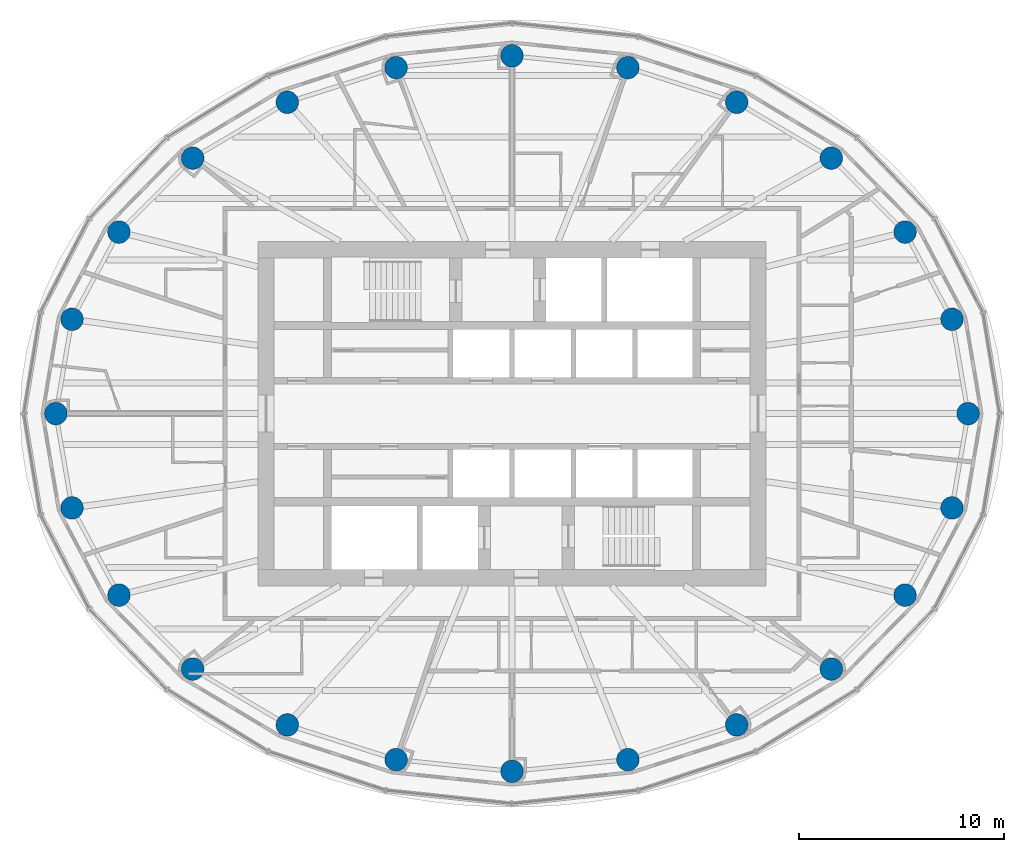
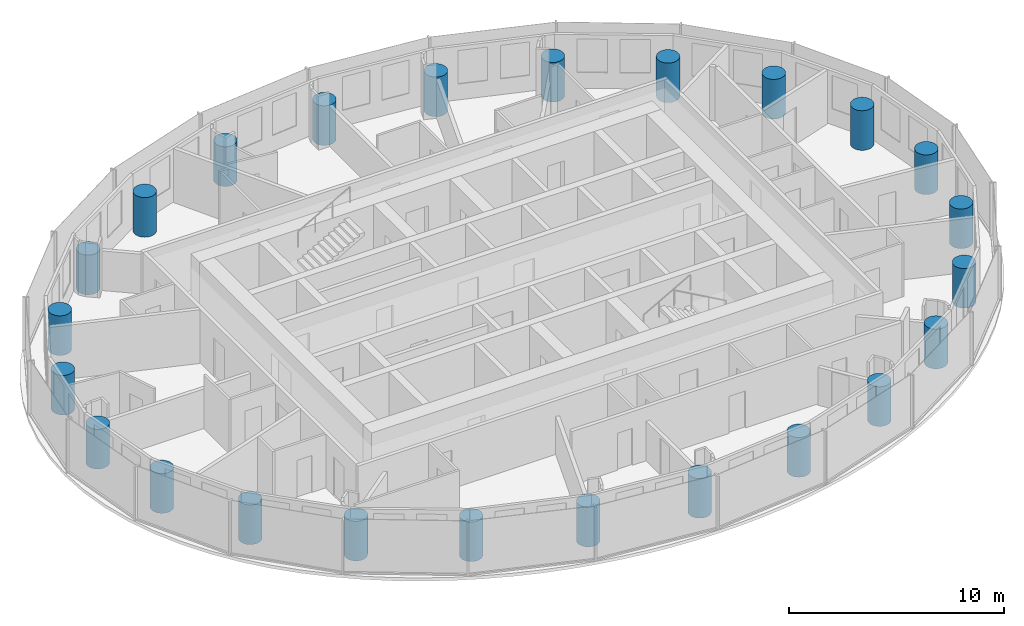
# One storey, part 1 of 14: 24 columns.
"""IFC4 building model written with IfcOpenShell, lengths in metres."""

from ifc_helpers import new_model, si_unit, direction, frame, origin, origin_2d, place, context, subcontext, project, spatial, circle, extrude, clip, halfspace, material, material_profile, profile_set, type_object, element, save


model = new_model("IFC4")

# Units and contexts
model_context = context("Model", 3, precision=1e-05, world=origin(), true_north=direction((0.0, 1.0)))
body_context = subcontext(model_context, "Body", "Model", "MODEL_VIEW")
ifc_project = project(units=[si_unit("LENGTHUNIT", "METRE"), si_unit("AREAUNIT", "SQUARE_METRE"), si_unit("VOLUMEUNIT", "CUBIC_METRE"), si_unit("PLANEANGLEUNIT", "RADIAN"), si_unit("MASSUNIT", "GRAM", prefix="KILO")], contexts=[model_context])

# Site, building, storey
site_placement = place(None, origin())
site = spatial("IfcSite", under=ifc_project, at=site_placement, CompositionType="ELEMENT")
building_placement = place(site_placement, origin())
building = spatial("IfcBuilding", under=site, at=building_placement, Name="Hankou Lantern Tower", CompositionType="ELEMENT")
storey_placement = place(building_placement, frame((0.0, 0.0, 183.0)))
storey = spatial("IfcBuildingStorey", under=building, at=storey_placement, Name="L49", CompositionType="ELEMENT", Elevation=183.0)

# Columns
ifc_material = material(Name="Concrete C50", Category="concrete")
ifc_material_profile = material_profile(ifc_material, circle(Radius=0.550048828125, at=origin_2d()), Name="RC D1100")
ifc_profile_set = profile_set([ifc_material_profile], Name="Concrete C50")
column_type = type_object("IfcColumnType", Name="TC4 PERIMETER COLUMN RC D1100", PredefinedType="COLUMN", material=ifc_profile_set)
for number, where, z_axis, x_axis, name in (
    (1, (22.25, 0.0, 0.0), (0.0, 0.0, 1.0), (1.0, 0.0, 0.0), "Column R01 L49"),
    (2, (21.462646484375, 4.600830078125, 0.0), (0.0, 0.0, 1.0), (1.0, 0.0, 0.0), "Column R02 L49"),
    (3, (19.172119140625, 8.855224609375, 0.0), (0.0, 0.0, 1.0), (1.0, 0.0, 0.0), "Column R03 L49"),
    (4, (15.576171875, 12.4609375, 0.0), (0.0, 0.0, 1.0), (1.0, 0.0, 0.0), "Column R04 L49"),
    (5, (10.959716796875, 15.186279296875, 0.0), (0.0, 0.0, 1.0), (1.0, 0.0, 0.0), "Column R05 L49"),
    (6, (5.65283203125, 16.87744140625, 0.0), (0.0, 0.0, 1.0), (1.0, 0.0, 0.0), "Column R06 L49"),
    (7, (0.0, 17.449951171875, 0.0), (0.0, 0.0, 1.0), (1.0, 0.0, 0.0), "Column R07 L49"),
    (8, (-5.65283203125, 16.87744140625, 0.0), (0.0, 0.0, 1.0), (1.0, 0.0, 0.0), "Column R08 L49"),
    (9, (-10.959716796875, 15.186279296875, 0.0), (0.0, 0.0, 1.0), (1.0, 0.0, 0.0), "Column R09 L49"),
    (10, (-15.576171875, 12.4609375, 0.0), (0.0, 0.0, 1.0), (1.0, 0.0, 0.0), "Column R10 L49"),
    (11, (-19.172119140625, 8.855224609375, 0.0), (0.0, 0.0, 1.0), (1.0, 0.0, 0.0), "Column R11 L49"),
    (12, (-21.462646484375, 4.600830078125, 0.0), (0.0, 0.0, 1.0), (1.0, 0.0, 0.0), "Column R12 L49"),
    (13, (-22.25, 0.0, 0.0), (0.0, 0.0, 1.0), (1.0, 0.0, 0.0), "Column R13 L49"),
    (14, (-21.462646484375, -4.600830078125, 0.0), (0.0, 0.0, 1.0), (1.0, 0.0, 0.0), "Column R14 L49"),
    (15, (-19.172119140625, -8.855224609375, 0.0), (0.0, 0.0, 1.0), (1.0, 0.0, 0.0), "Column R15 L49"),
    (16, (-15.576171875, -12.4609375, 0.0), (0.0, 0.0, 1.0), (1.0, 0.0, 0.0), "Column R16 L49"),
    (17, (-10.959716796875, -15.186279296875, 0.0), (0.0, 0.0, 1.0), (1.0, 0.0, 0.0), "Column R17 L49"),
    (18, (-5.65283203125, -16.87744140625, 0.0), (0.0, 0.0, 1.0), (1.0, 0.0, 0.0), "Column R18 L49"),
    (19, (0.0, -17.449951171875, 0.0), (0.0, 0.0, 1.0), (1.0, 0.0, 0.0), "Column R19 L49"),
    (20, (5.65283203125, -16.87744140625, 0.0), (0.0, 0.0, 1.0), (1.0, 0.0, 0.0), "Column R20 L49"),
    (21, (10.959716796875, -15.186279296875, 0.0), (0.0, 0.0, 1.0), (1.0, 0.0, 0.0), "Column R21 L49"),
    (22, (15.576171875, -12.4609375, 0.0), (0.0, 0.0, 1.0), (1.0, 0.0, 0.0), "Column R22 L49"),
    (23, (19.172119140625, -8.855224609375, 0.0), (0.0, 0.0, 1.0), (1.0, 0.0, 0.0), "Column R23 L49"),
    (24, (21.462646484375, -4.600830078125, 0.0), (0.0, 0.0, 1.0), (1.0, 0.0, 0.0), "Column R24 L49"),
):
    element("IfcColumn", number, at=place(storey_placement, frame(where, z_axis=z_axis, x_axis=x_axis)), inside=storey, type_object=column_type, Name=name, PredefinedType="COLUMN", context=body_context, shape_type="Clipping", body=[
        clip(extrude(circle(Radius=0.550048828125, at=origin_2d()), origin(), (0.0, 0.0, 1.0), 3.300048828125), halfspace(frame((0.0, 0.0, 2.25), z_axis=(0.0, 0.0, 1.0), x_axis=(1.0, 0.0, 0.0)), False)),
    ])

save(model, "model.ifc")
